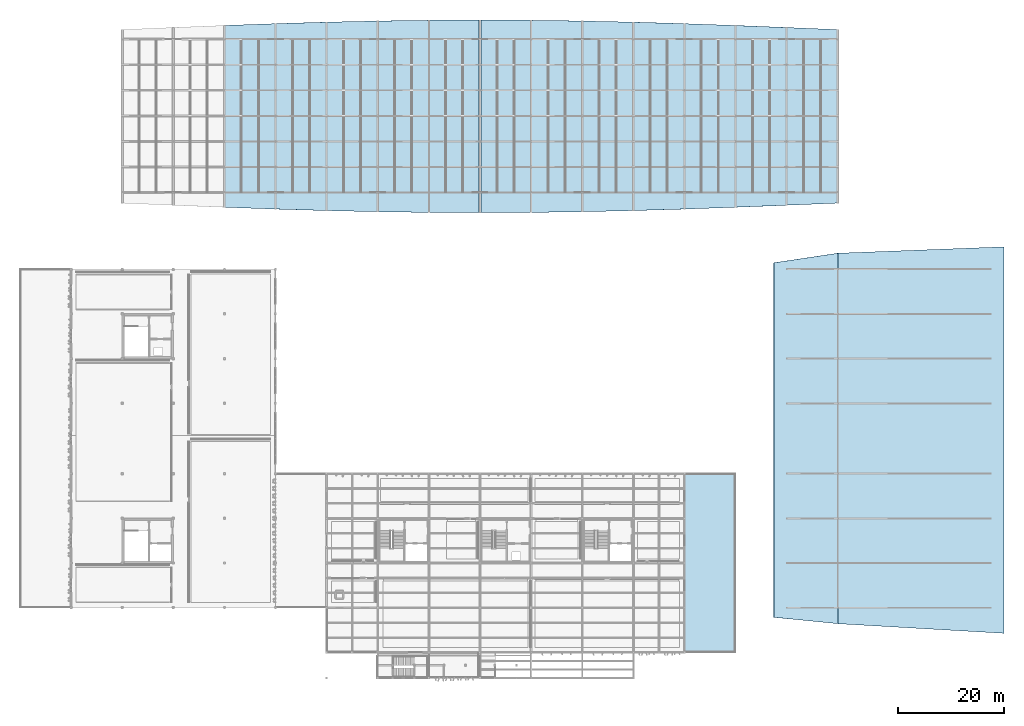
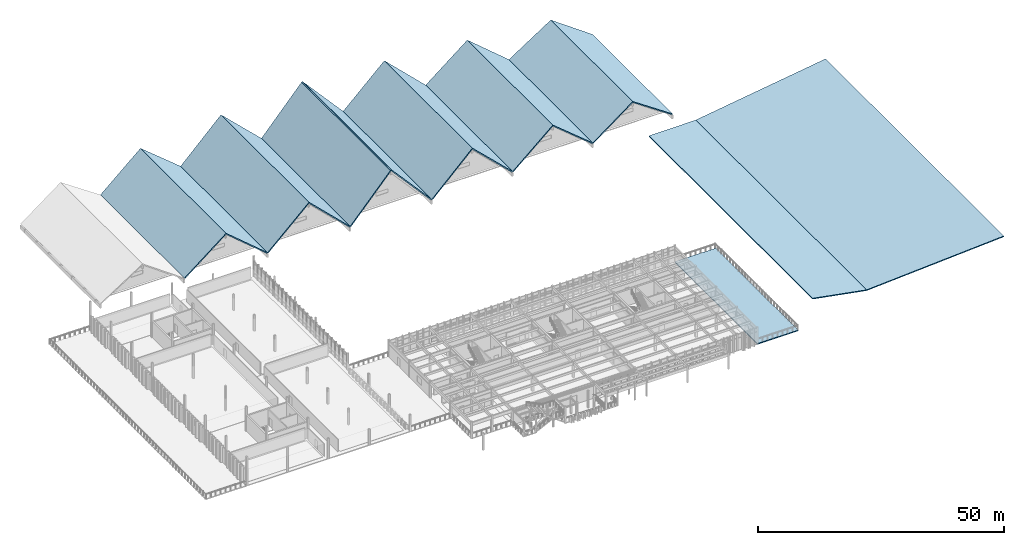
# One storey, part 22 of 42: 15 slabs.
"""IFC4 building model written with IfcOpenShell, lengths in metres."""

from ifc_helpers import new_model, si_unit, direction, frame, origin, place, context, subcontext, project, spatial, polyline, outline, extrude, material, layer, layer_set, type_object, element, save


model = new_model("IFC4")

# Units and contexts
model_context = context("Model", 3, precision=1e-05, world=origin(), true_north=direction((0.0, 1.0)))
body_context = subcontext(model_context, "Body", "Model", "MODEL_VIEW")
ifc_project = project(units=[si_unit("LENGTHUNIT", "METRE"), si_unit("AREAUNIT", "SQUARE_METRE"), si_unit("VOLUMEUNIT", "CUBIC_METRE"), si_unit("PLANEANGLEUNIT", "RADIAN"), si_unit("MASSUNIT", "GRAM", prefix="KILO")], contexts=[model_context])

# Site, building, storey
site_placement = place(None, origin())
site = spatial("IfcSite", under=ifc_project, at=site_placement, CompositionType="ELEMENT")
building_placement = place(site_placement, origin())
building = spatial("IfcBuilding", under=site, at=building_placement, Name="Kolvemor Railside Polytechnic", CompositionType="ELEMENT")
storey_placement = place(building_placement, frame((0.0, 0.0, 14.39990234375)))
storey = spatial("IfcBuildingStorey", under=building, at=storey_placement, Name="L03", CompositionType="ELEMENT", Elevation=14.39990234375)

# Slabs
ifc_material_1 = material(Name="Cross-laminated timber CLT E1", Category="wood")
ifc_layer_1 = layer(ifc_material_1, 0.239990234375, Name="SLB-FP-ROOF")
ifc_layer_set_1 = layer_set([ifc_layer_1], Name="Cross-laminated timber CLT E1")
slab_type_1 = type_object("IfcSlabType", Name="SLB-FP-ROOF", PredefinedType="ROOF", material=ifc_layer_set_1)
slab_1_placement = place(storey_placement, frame((38.39990234375, 88.4189453125, -4.199951171875), z_axis=(-0.640180556359, 0.0, 0.768224482335), x_axis=(0.767938516927, -0.027282694373, 0.639942254276)))
element("IfcSlab", 1, at=slab_1_placement, inside=storey, type_object=slab_type_1, Name="Workshop Folded-Plate Roof Facet FP-BAY2-W", PredefinedType="ROOF", context=body_context, shape_type="SweptSolid", body=[
    extrude(outline(polyline([(0.0, 0.0), (12.501127947938226, -2.7755575615628914e-17), (11.55048324424077, 34.8312677927155), (-0.9320343892250503, 34.14939280348576), (0.0, 0.0)])), origin(), (0.0, 0.0, -1.0), 0.239990234375),
])
slab_2_placement = place(storey_placement, frame((48.0, 88.077880859375, 3.800048828125), z_axis=(0.640180556359, 0.0, 0.768224482335), x_axis=(0.768024893761, -0.022793475688, -0.64001423424)))
element("IfcSlab", 2, at=slab_2_placement, inside=storey, type_object=slab_type_1, Name="Workshop Folded-Plate Roof Facet FP-BAY2-E", PredefinedType="ROOF", context=body_context, shape_type="SweptSolid", body=[
    extrude(outline(polyline([(0.0, 0.0), (12.499721993692711, -1.3877787807814457e-17), (11.692512421071465, 35.40486174891487), (-0.7942212981445064, 34.835185573355304), (0.0, 0.0)])), origin(), (0.0, 0.0, -1.0), 0.239990234375),
])
slab_3_placement = place(storey_placement, frame((57.60009765625, 87.79296875, -4.199951171875), z_axis=(-0.695802577359, 0.0, 0.718233091232), x_axis=(0.718140112289, -0.01609016655, 0.69571250216)))
element("IfcSlab", 3, at=slab_3_placement, inside=storey, type_object=slab_type_1, Name="Workshop Folded-Plate Roof Facet FP-BAY3-W", PredefinedType="ROOF", context=body_context, shape_type="SweptSolid", body=[
    extrude(outline(polyline([(0.0, 0.0), (13.367660922078343, 2.7755575615628914e-17), (12.790921158262186, 35.83959806147191), (-0.569818163849913, 35.409477968674615), (0.0, 0.0)])), origin(), (0.0, 0.0, -1.0), 0.239990234375),
])
slab_4_placement = place(storey_placement, frame((67.199951171875, 87.577880859375, 5.10009765625), z_axis=(0.695793449072, 0.0, 0.718241934329), x_axis=(0.718206479392, -0.009936023722, -0.69575910227)))
element("IfcSlab", 4, at=slab_4_placement, inside=storey, type_object=slab_type_1, Name="Workshop Folded-Plate Roof Facet FP-BAY3-E", PredefinedType="ROOF", context=body_context, shape_type="SweptSolid", body=[
    extrude(outline(polyline([(0.0, 0.0), (13.366765591391292, -1.3877787807814457e-17), (13.007977133237308, 36.10808077193889), (-0.3561492018528776, 35.84246888411912), (0.0, 0.0)])), origin(), (0.0, 0.0, -1.0), 0.239990234375),
])
slab_5_placement = place(storey_placement, frame((76.800048828125, 87.445068359375, -4.199951171875), z_axis=(-0.74741584389, 0.0, 0.6643564979), x_axis=(0.664353252526, -0.003125692422, 0.747412192772)))
element("IfcSlab", 5, at=slab_5_placement, inside=storey, type_object=slab_type_1, Name="Workshop Folded-Plate Roof Facet FP-BAY4-W", PredefinedType="ROOF", context=body_context, shape_type="SweptSolid", body=[
    extrude(outline(polyline([(0.0, 0.0), (14.449923258630452, 6.938893903907228e-18), (14.336772582474723, 36.20001847496258), (-0.1128683260102054, 36.10968688498351), (0.0, 0.0)])), origin(), (0.0, 0.0, -1.0), 0.239990234375),
])
slab_6_placement = place(storey_placement, frame((86.39990234375, 87.39990234375, 6.60009765625), z_axis=(0.747407454347, 0.0, 0.664365936203), x_axis=(0.664362690856, 0.003125657337, -0.747403803352)))
element("IfcSlab", 6, at=slab_6_placement, inside=storey, type_object=slab_type_1, Name="Workshop Folded-Plate Roof Facet FP-BAY4-E", PredefinedType="ROOF", context=body_context, shape_type="SweptSolid", body=[
    extrude(outline(polyline([(0.0, 0.0), (14.450085455400892, -3.469446951953614e-18), (14.56295251450662, 36.10968688894347), (0.11314940608197714, 36.20001847893244), (0.0, 0.0)])), origin(), (0.0, 0.0, -1.0), 0.239990234375),
])
slab_7_placement = place(storey_placement, frame((96.0, 87.445068359375, -4.199951171875), z_axis=(-0.695793449072, 0.0, 0.718241934329), x_axis=(0.718206479392, 0.009936023722, 0.69575910227)))
element("IfcSlab", 7, at=slab_7_placement, inside=storey, type_object=slab_type_1, Name="Workshop Folded-Plate Roof Facet FP-BAY5-W", PredefinedType="ROOF", context=body_context, shape_type="SweptSolid", body=[
    extrude(outline(polyline([(0.0, 0.0), (13.366765591391292, 1.3877787807814457e-17), (13.72291479324417, 35.84246888411913), (0.35878845815398464, 36.10808077193889), (0.0, 0.0)])), origin(), (0.0, 0.0, -1.0), 0.239990234375),
])
slab_8_placement = place(storey_placement, frame((105.60009765625, 87.577880859375, 5.10009765625), z_axis=(0.695802577359, 0.0, 0.718233091232), x_axis=(0.718140112289, 0.01609016655, -0.69571250216)))
element("IfcSlab", 8, at=slab_8_placement, inside=storey, type_object=slab_type_1, Name="Workshop Folded-Plate Roof Facet FP-BAY5-E", PredefinedType="ROOF", context=body_context, shape_type="SweptSolid", body=[
    extrude(outline(polyline([(0.0, 0.0), (13.367660922078343, -2.7755575615628914e-17), (13.937479085928256, 35.409477968674615), (0.5767397638161574, 35.83959806147191), (0.0, 0.0)])), origin(), (0.0, 0.0, -1.0), 0.239990234375),
])
slab_9_placement = place(storey_placement, frame((115.199951171875, 87.79296875, -4.199951171875), z_axis=(-0.640180556359, 0.0, 0.768224482335), x_axis=(0.768024893761, 0.022793475688, 0.64001423424)))
element("IfcSlab", 9, at=slab_9_placement, inside=storey, type_object=slab_type_1, Name="Workshop Folded-Plate Roof Facet FP-BAY6-W", PredefinedType="ROOF", context=body_context, shape_type="SweptSolid", body=[
    extrude(outline(polyline([(0.0, 0.0), (12.499721993692711, 1.3877787807814457e-17), (13.293943291837216, 34.835185573355304), (0.8072095726212464, 35.40486174891487), (0.0, 0.0)])), origin(), (0.0, 0.0, -1.0), 0.239990234375),
])
slab_10_placement = place(storey_placement, frame((124.800048828125, 88.077880859375, 3.800048828125), z_axis=(0.640190164679, 0.0, 0.768216475382), x_axis=(0.767930504375, 0.027283103548, -0.639951851869)))
element("IfcSlab", 10, at=slab_10_placement, inside=storey, type_object=slab_type_1, Name="Workshop Folded-Plate Roof Facet FP-BAY6-E", PredefinedType="ROOF", context=body_context, shape_type="SweptSolid", body=[
    extrude(outline(polyline([(0.0, 0.0), (12.500940463926831, 2.7755575615628914e-17), (13.43298883142388, 34.14939242197597), (0.9506589610793689, 34.831267403587944), (0.0, 0.0)])), origin(), (0.0, 0.0, -1.0), 0.239990234375),
])
slab_11_placement = place(storey_placement, frame((134.39990234375, 88.4189453125, -4.199951171875), z_axis=(-0.572308483417, 0.0, 0.820038413618), x_axis=(0.819606461734, 0.032453264354, 0.572007022262)))
element("IfcSlab", 11, at=slab_11_placement, inside=storey, type_object=slab_type_1, Name="Workshop Folded-Plate Roof Facet FP-BAY7-W", PredefinedType="ROOF", context=body_context, shape_type="SweptSolid", body=[
    extrude(outline(polyline([(0.0, 0.0), (11.713057551960464, 2.7755575615628914e-17), (12.797056797395093, 33.38426117785388), (1.1086719664301692, 34.14411462346498), (0.0, 0.0)])), origin(), (0.0, 0.0, -1.0), 0.239990234375),
])
slab_12_placement = place(storey_placement, frame((144.0, 88.799072265625, 2.5), z_axis=(0.572308483417, 0.0, 0.820038413618), x_axis=(0.819558054573, 0.034222936921, -0.571973238687)))
element("IfcSlab", 12, at=slab_12_placement, inside=storey, type_object=slab_type_1, Name="Workshop Folded-Plate Roof Facet FP-BAY7-E", PredefinedType="ROOF", context=body_context, shape_type="SweptSolid", body=[
    extrude(outline(polyline([(0.0, 0.0), (11.71374938320443, -5.551115123125783e-17), (12.829420468913247, 32.58100129255622), (1.1431095927519384, 33.382289454353234), (0.0, 0.0)])), origin(), (0.0, 0.0, -1.0), 0.239990234375),
])
ifc_material_2 = material(Name="Cross-laminated timber CLT E1", Category="wood")
ifc_layer_2 = layer(ifc_material_2, 0.22998046875, Name="SLB-TER-230")
ifc_layer_set_2 = layer_set([ifc_layer_2], Name="Cross-laminated timber CLT E1")
slab_type_2 = type_object("IfcSlabType", Name="SLB-TER-230", PredefinedType="FLOOR", material=ifc_layer_set_2)
slab_13_placement = place(storey_placement, frame((0.0, 0.0, -0.22998046875)))
element("IfcSlab", 13, at=slab_13_placement, inside=storey, type_object=slab_type_2, Name="Corner Study Terrace L03-E L03-95", PredefinedType="FLOOR", context=body_context, shape_type="SweptSolid", body=[
    extrude(outline(polyline([(124.800048828125, 4.800048828125), (134.39990234375, 4.800048828125), (134.39990234375, 38.39990234375), (124.800048828125, 38.39990234375), (124.800048828125, 4.800048828125)])), origin(), (0.0, 0.0, 1.0), 0.22998046875),
])
ifc_material_3 = material(Name="Cross-laminated timber CLT E1", Category="wood")
ifc_layer_3 = layer(ifc_material_3, 0.215087890625, Name="SLB-WG-ROOF")
ifc_layer_set_3 = layer_set([ifc_layer_3], Name="Cross-laminated timber CLT E1")
slab_type_3 = type_object("IfcSlabType", Name="SLB-WG-ROOF", PredefinedType="ROOF", material=ifc_layer_set_3)
slab_14_placement = place(storey_placement, frame((141.60009765625, 11.39990234375, 1.3701171875), z_axis=(0.11343941379, 0.0, 0.993544915643), x_axis=(0.988677520562, -0.098863729117, -0.112883671985)))
element("IfcSlab", 14, at=slab_14_placement, inside=storey, type_object=slab_type_3, Name="Refectory Wing Courtyard Counter-Swept Roof", PredefinedType="ROOF", context=body_context, shape_type="SweptSolid", body=[
    extrude(outline(polyline([(0.0, 0.0), (12.13742575352645, -2.654126918244515e-16), (5.2565005523184105, 69.25912547913755), (-6.584334013856877, 66.27382253511567), (0.0, 0.0)])), origin(), (0.0, 0.0, -1.0), 0.219970703125),
])
slab_15_placement = place(storey_placement, frame((153.60009765625, 10.199951171875, 0.0), z_axis=(-0.113054304879, 0.0, 0.993588810398), x_axis=(0.991960331644, -0.057230122659, 0.112869010387)))
element("IfcSlab", 15, at=slab_15_placement, inside=storey, type_object=slab_type_3, Name="Refectory Wing Avenue Swept Prow Roof", PredefinedType="ROOF", context=body_context, shape_type="SweptSolid", body=[
    extrude(outline(polyline([(0.0, 0.0), (31.4528214250024, -4.163336342344337e-17), (27.29790893107871, 72.48110706842766), (-3.9832221259466487, 69.48602402825266), (0.0, 0.0)])), origin(), (0.0, 0.0, -1.0), 0.219970703125),
])

save(model, "model.ifc")
